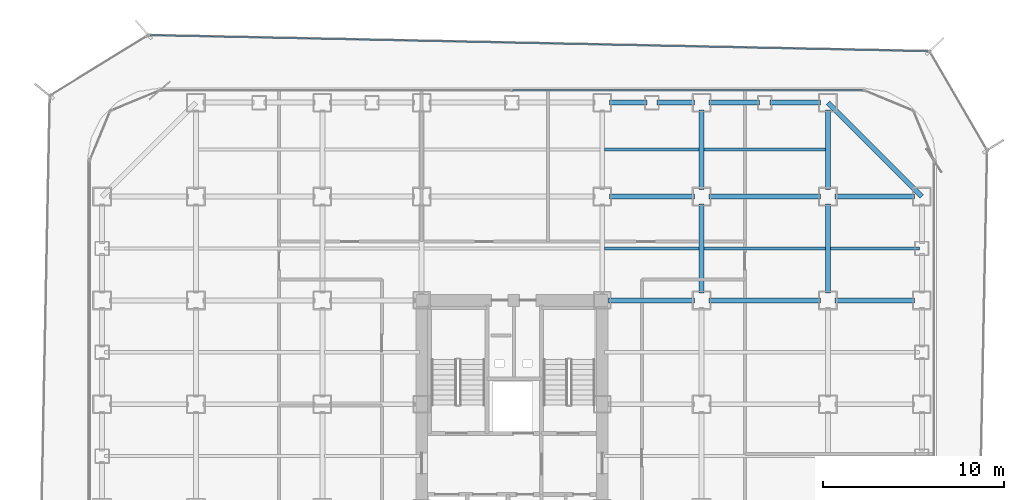
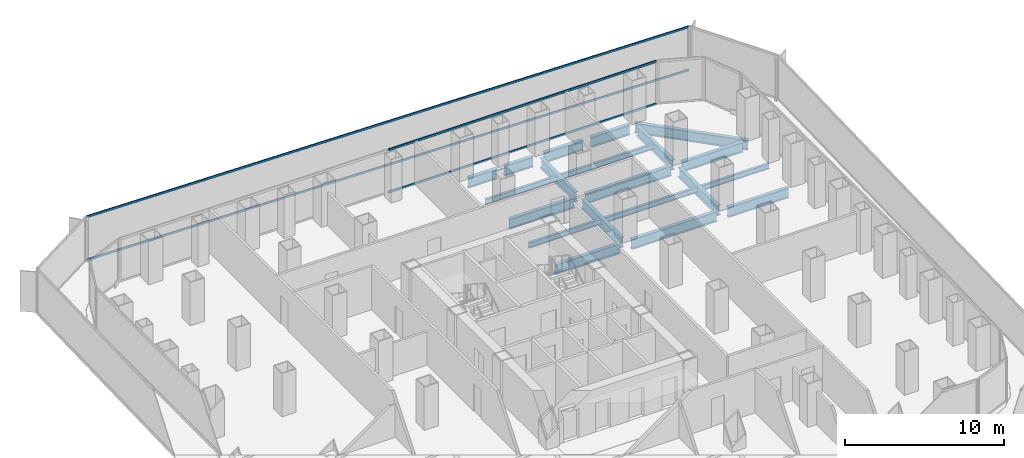
# One storey, part 14 of 21: 20 beams, 4 members, 2 elements without a shape of their own.
"""IFC4 building model written with IfcOpenShell, lengths in metres."""

from ifc_helpers import new_model, si_unit, direction, frame, origin, origin_2d, place, context, subcontext, project, spatial, hollow_rectangle, i_section, extrude, source, transform, mapped, material, layer, layer_set, material_profile, profile_set, type_object, element, aggregate, save


model = new_model("IFC4")

# Units and contexts
model_context = context("Model", 3, precision=1e-05, world=origin(), true_north=direction((0.0, 1.0)))
body_context = subcontext(model_context, "Body", "Model", "MODEL_VIEW")
ifc_project = project(units=[si_unit("LENGTHUNIT", "METRE"), si_unit("AREAUNIT", "SQUARE_METRE"), si_unit("VOLUMEUNIT", "CUBIC_METRE"), si_unit("PLANEANGLEUNIT", "RADIAN"), si_unit("MASSUNIT", "GRAM", prefix="KILO")], contexts=[model_context])

# Site, building, storey
site_placement = place(None, origin())
site = spatial("IfcSite", under=ifc_project, at=site_placement, CompositionType="ELEMENT")
building_placement = place(site_placement, origin())
building = spatial("IfcBuilding", under=site, at=building_placement, Name="Kolveth Station Tower", CompositionType="ELEMENT")
storey_placement = place(building_placement, frame((0.0, 0.0, 44.10009765625)))
storey = spatial("IfcBuildingStorey", under=building, at=storey_placement, Name="L11", CompositionType="ELEMENT", Elevation=44.10009765625)

# Beams
ifc_material_1 = material(Name="Steel S355", Category="steel")
ifc_material_profile_1 = material_profile(ifc_material_1, i_section(OverallWidth=0.26904296875, OverallDepth=0.77490234375, WebThickness=0.01708984375, FlangeThickness=0.0283203125, at=origin_2d()), Name="W760x220")
ifc_profile_set_1 = profile_set([ifc_material_profile_1], Name="Steel S355")
beam_type_1 = type_object("IfcBeamType", Name="Beam_SP1", PredefinedType="SPANDREL", material=ifc_profile_set_1)
shared_shape_1 = source(origin(), body_context, "Body", "SweptSolid", [
    extrude(i_section(OverallWidth=0.26904296875, OverallDepth=0.77490234375, WebThickness=0.01708984375, FlangeThickness=0.0283203125, at=origin_2d()), origin(), (0.0, 0.0, 1.0), 7.353759765625),
])
beam_1_placement = place(storey_placement, frame((46.199951171875, 34.5, -0.66748046875), z_axis=(-0.707106781187, 0.707106781187, 0.0), x_axis=(-0.707106781187, -0.707106781187, 0.0)))
element("IfcBeam", 1, at=beam_1_placement, inside=storey, type_object=beam_type_1, Name="L11 Corner Edge Girder BM-L11-CNR-NE", PredefinedType="SPANDREL", context=body_context, shape_type="MappedRepresentation", body=[
    mapped(shared_shape_1, transform((0.0, 0.0, 0.0), x_axis=(1.0, 0.0, 0.0), y_axis=(0.0, 1.0, 0.0), z_axis=(0.0, 0.0, 1.0), scale=1.0)),
])
shared_shape_2 = source(origin(), body_context, "Body", "SweptSolid", [
    extrude(i_section(OverallWidth=0.26904296875, OverallDepth=0.77490234375, WebThickness=0.01708984375, FlangeThickness=0.0283203125, at=origin_2d()), origin(), (0.0, 0.0, 1.0), 2.820068359375),
])
for number, where, z_axis, x_axis, name in (
    (2, (34.39990234375, 39.699951171875, -0.66748046875), (1.0, 0.0, 0.0), (0.0, 1.0, 0.0), "L11 Perimeter Spandrel BM-L11-PN-9"),
    (3, (37.780029296875, 39.699951171875, -0.66748046875), (1.0, 0.0, 0.0), (0.0, 1.0, 0.0), "L11 Perimeter Spandrel BM-L11-PN-10"),
):
    element("IfcBeam", number, at=place(storey_placement, frame(where, z_axis=z_axis, x_axis=x_axis)), inside=storey, type_object=beam_type_1, Name=name, PredefinedType="SPANDREL", context=body_context, shape_type="MappedRepresentation", body=[
        mapped(shared_shape_2, transform((0.0, 0.0, 0.0), x_axis=(1.0, 0.0, 0.0), y_axis=(0.0, 1.0, 0.0), z_axis=(0.0, 0.0, 1.0), scale=1.0)),
    ])
shared_shape_3 = source(origin(), body_context, "Body", "SweptSolid", [
    extrude(i_section(OverallWidth=0.26904296875, OverallDepth=0.77490234375, WebThickness=0.01708984375, FlangeThickness=0.0283203125, at=origin_2d()), origin(), (0.0, 0.0, 1.0), 2.070068359375),
])
for number, where, z_axis, x_axis, name in (
    (4, (28.89990234375, 39.699951171875, -0.66748046875), (1.0, 0.0, 0.0), (0.0, 1.0, 0.0), "L11 Perimeter Spandrel BM-L11-PN-7"),
    (5, (31.530029296875, 39.699951171875, -0.66748046875), (1.0, 0.0, 0.0), (0.0, 1.0, 0.0), "L11 Perimeter Spandrel BM-L11-PN-8"),
):
    element("IfcBeam", number, at=place(storey_placement, frame(where, z_axis=z_axis, x_axis=x_axis)), inside=storey, type_object=beam_type_1, Name=name, PredefinedType="SPANDREL", context=body_context, shape_type="MappedRepresentation", body=[
        mapped(shared_shape_3, transform((0.0, 0.0, 0.0), x_axis=(1.0, 0.0, 0.0), y_axis=(0.0, 1.0, 0.0), z_axis=(0.0, 0.0, 1.0), scale=1.0)),
    ])
ifc_material_profile_2 = material_profile(ifc_material_1, i_section(OverallWidth=0.26708984375, OverallDepth=0.76611328125, WebThickness=0.014892578125, FlangeThickness=0.023681640625, at=origin_2d()), Name="W760x185")
ifc_profile_set_2 = profile_set([ifc_material_profile_2], Name="Steel S355")
beam_type_2 = type_object("IfcBeamType", Name="Beam_B3", PredefinedType="BEAM", material=ifc_profile_set_2)
shared_shape_4 = source(origin(), body_context, "Body", "SweptSolid", [
    extrude(i_section(OverallWidth=0.26708984375, OverallDepth=0.76611328125, WebThickness=0.014892578125, FlangeThickness=0.023681640625, at=origin_2d()), origin(), (0.0, 0.0, 1.0), 4.400146484375),
])
for number, where, z_axis, x_axis, name in (
    (6, (41.39990234375, 28.75, -0.6630859375), (1.0, 0.0, 0.0), (0.0, 1.0, 0.0), "L11 Primary Girder BM-L11-GY287-7"),
    (7, (41.39990234375, 34.5, -0.6630859375), (1.0, 0.0, 0.0), (0.0, 1.0, 0.0), "L11 Primary Girder BM-L11-GY345-7"),
    (8, (34.0, 34.89990234375, -0.6630859375), (0.0, 1.0, 0.0), (-1.0, 0.0, 0.0), "L11 Primary Girder BM-L11-GX340-7"),
    (9, (41.0, 34.89990234375, -0.6630859375), (0.0, 1.0, 0.0), (-1.0, 0.0, 0.0), "L11 Primary Girder BM-L11-GX410-7"),
):
    element("IfcBeam", number, at=place(storey_placement, frame(where, z_axis=z_axis, x_axis=x_axis)), inside=storey, type_object=beam_type_2, Name=name, PredefinedType="BEAM", context=body_context, shape_type="MappedRepresentation", body=[
        mapped(shared_shape_4, transform((0.0, 0.0, 0.0), x_axis=(1.0, 0.0, 0.0), y_axis=(0.0, 1.0, 0.0), z_axis=(0.0, 0.0, 1.0), scale=1.0)),
    ])
shared_shape_5 = source(origin(), body_context, "Body", "SweptSolid", [
    extrude(i_section(OverallWidth=0.26708984375, OverallDepth=0.76611328125, WebThickness=0.014892578125, FlangeThickness=0.023681640625, at=origin_2d()), origin(), (0.0, 0.0, 1.0), 6.2001953125),
])
for number, where, z_axis, x_axis, name in (
    (10, (34.39990234375, 28.75, -0.6630859375), (1.0, 0.0, 0.0), (0.0, 1.0, 0.0), "L11 Primary Girder BM-L11-GY287-6"),
    (11, (34.39990234375, 34.5, -0.6630859375), (1.0, 0.0, 0.0), (0.0, 1.0, 0.0), "L11 Primary Girder BM-L11-GY345-6"),
):
    element("IfcBeam", number, at=place(storey_placement, frame(where, z_axis=z_axis, x_axis=x_axis)), inside=storey, type_object=beam_type_2, Name=name, PredefinedType="BEAM", context=body_context, shape_type="MappedRepresentation", body=[
        mapped(shared_shape_5, transform((0.0, 0.0, 0.0), x_axis=(1.0, 0.0, 0.0), y_axis=(0.0, 1.0, 0.0), z_axis=(0.0, 0.0, 1.0), scale=1.0)),
    ])
shared_shape_6 = source(origin(), body_context, "Body", "SweptSolid", [
    extrude(i_section(OverallWidth=0.26708984375, OverallDepth=0.76611328125, WebThickness=0.014892578125, FlangeThickness=0.023681640625, at=origin_2d()), origin(), (0.0, 0.0, 1.0), 4.7001953125),
])
beam_2_placement = place(storey_placement, frame((28.89990234375, 34.5, -0.6630859375), z_axis=(1.0, 0.0, 0.0), x_axis=(0.0, 1.0, 0.0)))
element("IfcBeam", 12, at=beam_2_placement, inside=storey, type_object=beam_type_2, Name="L11 Primary Girder BM-L11-GY345-5", PredefinedType="BEAM", context=body_context, shape_type="MappedRepresentation", body=[
    mapped(shared_shape_6, transform((0.0, 0.0, 0.0), x_axis=(1.0, 0.0, 0.0), y_axis=(0.0, 1.0, 0.0), z_axis=(0.0, 0.0, 1.0), scale=1.0)),
])
shared_shape_7 = source(origin(), body_context, "Body", "SweptSolid", [
    extrude(i_section(OverallWidth=0.26708984375, OverallDepth=0.76611328125, WebThickness=0.014892578125, FlangeThickness=0.023681640625, at=origin_2d()), origin(), (0.0, 0.0, 1.0), 4.739990234375),
])
beam_3_placement = place(storey_placement, frame((28.860107421875, 28.75, -0.6630859375), z_axis=(1.0, 0.0, 0.0), x_axis=(0.0, 1.0, 0.0)))
element("IfcBeam", 13, at=beam_3_placement, inside=storey, type_object=beam_type_2, Name="L11 Primary Girder BM-L11-GY287-5", PredefinedType="BEAM", context=body_context, shape_type="MappedRepresentation", body=[
    mapped(shared_shape_7, transform((0.0, 0.0, 0.0), x_axis=(1.0, 0.0, 0.0), y_axis=(0.0, 1.0, 0.0), z_axis=(0.0, 0.0, 1.0), scale=1.0)),
])
shared_shape_8 = source(origin(), body_context, "Body", "SweptSolid", [
    extrude(i_section(OverallWidth=0.26708984375, OverallDepth=0.76611328125, WebThickness=0.014892578125, FlangeThickness=0.023681640625, at=origin_2d()), origin(), (0.0, 0.0, 1.0), 4.9501953125),
])
for number, where, z_axis, x_axis, name in (
    (14, (34.0, 29.14990234375, -0.6630859375), (0.0, 1.0, 0.0), (-1.0, 0.0, 0.0), "L11 Primary Girder BM-L11-GX340-6"),
    (15, (41.0, 29.14990234375, -0.6630859375), (0.0, 1.0, 0.0), (-1.0, 0.0, 0.0), "L11 Primary Girder BM-L11-GX410-6"),
):
    element("IfcBeam", number, at=place(storey_placement, frame(where, z_axis=z_axis, x_axis=x_axis)), inside=storey, type_object=beam_type_2, Name=name, PredefinedType="BEAM", context=body_context, shape_type="MappedRepresentation", body=[
        mapped(shared_shape_8, transform((0.0, 0.0, 0.0), x_axis=(1.0, 0.0, 0.0), y_axis=(0.0, 1.0, 0.0), z_axis=(0.0, 0.0, 1.0), scale=1.0)),
    ])
ifc_material_profile_3 = material_profile(ifc_material_1, i_section(OverallWidth=0.177978515625, OverallDepth=0.406982421875, WebThickness=0.0078125, FlangeThickness=0.0126953125, at=origin_2d()), Name="W410x60")
ifc_profile_set_3 = profile_set([ifc_material_profile_3], Name="Steel S355")
beam_type_3 = type_object("IfcBeamType", Name="Beam_J1", PredefinedType="JOIST", material=ifc_profile_set_3)
shared_shape_9 = source(origin(), body_context, "Body", "SweptSolid", [
    extrude(i_section(OverallWidth=0.177978515625, OverallDepth=0.406982421875, WebThickness=0.0078125, FlangeThickness=0.0126953125, at=origin_2d()), origin(), (0.0, 0.0, 1.0), 4.935791015625),
])
beam_4_placement = place(storey_placement, frame((41.131591796875, 31.625, -0.483642578125), z_axis=(1.0, 0.0, 0.0), x_axis=(0.0, 1.0, 0.0)))
element("IfcBeam", 16, at=beam_4_placement, inside=storey, type_object=beam_type_3, Name="L11 Secondary Joist JST-L11-7-6", PredefinedType="JOIST", context=body_context, shape_type="MappedRepresentation", body=[
    mapped(shared_shape_9, transform((0.0, 0.0, 0.0), x_axis=(1.0, 0.0, 0.0), y_axis=(0.0, 1.0, 0.0), z_axis=(0.0, 0.0, 1.0), scale=1.0)),
])
shared_shape_10 = source(origin(), body_context, "Body", "SweptSolid", [
    extrude(i_section(OverallWidth=0.177978515625, OverallDepth=0.406982421875, WebThickness=0.0078125, FlangeThickness=0.0126953125, at=origin_2d()), origin(), (0.0, 0.0, 1.0), 6.73681640625),
])
for number, where, z_axis, x_axis, name in (
    (17, (34.131591796875, 31.625, -0.483642578125), (1.0, 0.0, 0.0), (0.0, 1.0, 0.0), "L11 Secondary Joist JST-L11-6-6"),
    (18, (34.131591796875, 37.10009765625, -0.483642578125), (1.0, 0.0, 0.0), (0.0, 1.0, 0.0), "L11 Secondary Joist JST-L11-6-7"),
):
    element("IfcBeam", number, at=place(storey_placement, frame(where, z_axis=z_axis, x_axis=x_axis)), inside=storey, type_object=beam_type_3, Name=name, PredefinedType="JOIST", context=body_context, shape_type="MappedRepresentation", body=[
        mapped(shared_shape_10, transform((0.0, 0.0, 0.0), x_axis=(1.0, 0.0, 0.0), y_axis=(0.0, 1.0, 0.0), z_axis=(0.0, 0.0, 1.0), scale=1.0)),
    ])
shared_shape_11 = source(origin(), body_context, "Body", "SweptSolid", [
    extrude(i_section(OverallWidth=0.177978515625, OverallDepth=0.406982421875, WebThickness=0.0078125, FlangeThickness=0.0126953125, at=origin_2d()), origin(), (0.0, 0.0, 1.0), 5.23681640625),
])
for number, where, z_axis, x_axis, name in (
    (19, (28.631591796875, 31.625, -0.483642578125), (1.0, 0.0, 0.0), (0.0, 1.0, 0.0), "L11 Secondary Joist JST-L11-5-6"),
    (20, (28.631591796875, 37.10009765625, -0.483642578125), (1.0, 0.0, 0.0), (0.0, 1.0, 0.0), "L11 Secondary Joist JST-L11-5-7"),
):
    element("IfcBeam", number, at=place(storey_placement, frame(where, z_axis=z_axis, x_axis=x_axis)), inside=storey, type_object=beam_type_3, Name=name, PredefinedType="JOIST", context=body_context, shape_type="MappedRepresentation", body=[
        mapped(shared_shape_11, transform((0.0, 0.0, 0.0), x_axis=(1.0, 0.0, 0.0), y_axis=(0.0, 1.0, 0.0), z_axis=(0.0, 0.0, 1.0), scale=1.0)),
    ])

# Curtain wall, members
ifc_material_2 = material(Name="Aluminium 6063-T6 and low-E dark glass", Category="aluminium")
ifc_layer_1 = layer(ifc_material_2, 0.179931640625)
ifc_layer_set_1 = layer_set([ifc_layer_1], Name="Aluminium 6063-T6 and low-E dark glass")
curtain_wall_type_1 = type_object("IfcCurtainWallType", Name="CurtainWall_CW-Z1", PredefinedType="NOTDEFINED", material=ifc_layer_set_1)
curtain_wall_1_placement = place(storey_placement, origin())
curtain_wall_1 = element("IfcCurtainWall", 21, at=curtain_wall_1_placement, inside=storey, type_object=curtain_wall_type_1, Name="L11 Inner Thermal Curtain Wall 6", PredefinedType="NOTDEFINED")
ifc_material_3 = material(Name="Black anodized aluminium 6063-T6", Category="aluminium")
ifc_material_profile_4 = material_profile(ifc_material_3, hollow_rectangle(XDim=0.074951171875, YDim=0.159912109375, WallThickness=0.0048828125, at=origin_2d()), Name="ALU-75x160x5")
ifc_profile_set_4 = profile_set([ifc_material_profile_4], Name="Black anodized aluminium 6063-T6")
member_type_1 = type_object("IfcMemberType", Name="Transom_TR1", PredefinedType="USERDEFINED", material=ifc_profile_set_4)
shared_shape_12 = source(origin(), body_context, "Body", "SweptSolid", [
    extrude(hollow_rectangle(XDim=0.074951171875, YDim=0.159912109375, WallThickness=0.0048828125, at=origin_2d()), origin(), (0.0, 0.0, 1.0), 19.387451171875),
])
member_1_placement = place(storey_placement, frame((42.925048828125, 40.3798828125, 0.037353515625), z_axis=(-1.0, 0.0, 0.0), x_axis=(0.0, -1.0, 0.0)))
member_1 = element("IfcMember", 22, at=member_1_placement, type_object=member_type_1, Name="CW-Z1 transom 1.1", ObjectType="TRANSOM", PredefinedType="USERDEFINED", context=body_context, shape_type="MappedRepresentation", body=[
    mapped(shared_shape_12, transform((0.0, 0.0, 0.0), x_axis=(1.0, 0.0, 0.0), y_axis=(0.0, 1.0, 0.0), z_axis=(0.0, 0.0, 1.0), scale=1.0)),
])
member_2_placement = place(storey_placement, frame((42.925048828125, 40.3798828125, 3.282470703125), z_axis=(-1.0, 0.0, 0.0), x_axis=(0.0, -1.0, 0.0)))
member_2 = element("IfcMember", 23, at=member_2_placement, type_object=member_type_1, Name="CW-Z1 transom 1.2", ObjectType="TRANSOM", PredefinedType="USERDEFINED", context=body_context, shape_type="MappedRepresentation", body=[
    mapped(shared_shape_12, transform((0.0, 0.0, 0.0), x_axis=(1.0, 0.0, 0.0), y_axis=(0.0, 1.0, 0.0), z_axis=(0.0, 0.0, 1.0), scale=1.0)),
])
aggregate(curtain_wall_1, [member_1, member_2])

ifc_material_4 = material(Name="Black anodized aluminium 6063-T6 and dark solar glass", Category="aluminium")
ifc_layer_2 = layer(ifc_material_4, 0.159912109375)
ifc_layer_set_2 = layer_set([ifc_layer_2], Name="Black anodized aluminium 6063-T6 and dark solar glass")
curtain_wall_type_2 = type_object("IfcCurtainWallType", Name="OUTER SKIN CW-OS", PredefinedType="NOTDEFINED", material=ifc_layer_set_2)
curtain_wall_2_placement = place(storey_placement, origin())
curtain_wall_2 = element("IfcCurtainWall", 24, at=curtain_wall_2_placement, inside=storey, type_object=curtain_wall_type_2, Name="L11 Outer Ventilated Skin Curtain Wall 4", PredefinedType="NOTDEFINED")
ifc_material_profile_5 = material_profile(ifc_material_3, hollow_rectangle(XDim=0.080078125, YDim=0.14990234375, WallThickness=0.0048828125, at=origin_2d()), Name="ALU-80x150x5")
ifc_profile_set_5 = profile_set([ifc_material_profile_5], Name="Black anodized aluminium 6063-T6")
member_type_2 = type_object("IfcMemberType", Name="Transom_TR-OS", PredefinedType="USERDEFINED", material=ifc_profile_set_5)
shared_shape_13 = source(origin(), body_context, "Body", "SweptSolid", [
    extrude(hollow_rectangle(XDim=0.080078125, YDim=0.14990234375, WallThickness=0.0048828125, at=origin_2d()), origin(), (0.0, 0.0, 1.0), 43.10009765625),
])
member_3_placement = place(storey_placement, frame((46.5439453125, 42.54736328125, 0.039794921875), z_axis=(-0.999787644898, 0.020607404219, 0.0), x_axis=(-0.020607404219, -0.999787644898, 0.0)))
member_3 = element("IfcMember", 25, at=member_3_placement, type_object=member_type_2, Name="CW-OS transom 1.1", ObjectType="TRANSOM", PredefinedType="USERDEFINED", context=body_context, shape_type="MappedRepresentation", body=[
    mapped(shared_shape_13, transform((0.0, 0.0, 0.0), x_axis=(1.0, 0.0, 0.0), y_axis=(0.0, 1.0, 0.0), z_axis=(0.0, 0.0, 1.0), scale=1.0)),
])
member_4_placement = place(storey_placement, frame((46.5439453125, 42.54736328125, 3.349853515625), z_axis=(-0.999787644898, 0.020607404219, 0.0), x_axis=(-0.020607404219, -0.999787644898, 0.0)))
member_4 = element("IfcMember", 26, at=member_4_placement, type_object=member_type_2, Name="CW-OS transom 1.2", ObjectType="TRANSOM", PredefinedType="USERDEFINED", context=body_context, shape_type="MappedRepresentation", body=[
    mapped(shared_shape_13, transform((0.0, 0.0, 0.0), x_axis=(1.0, 0.0, 0.0), y_axis=(0.0, 1.0, 0.0), z_axis=(0.0, 0.0, 1.0), scale=1.0)),
])
aggregate(curtain_wall_2, [member_3, member_4])

save(model, "model.ifc")
